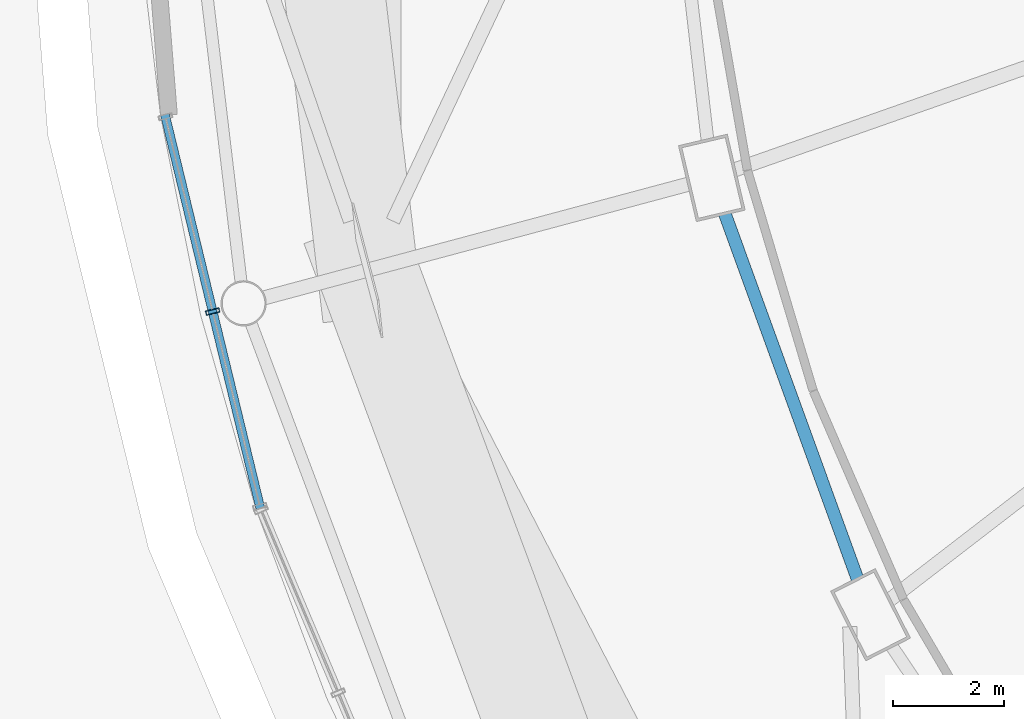
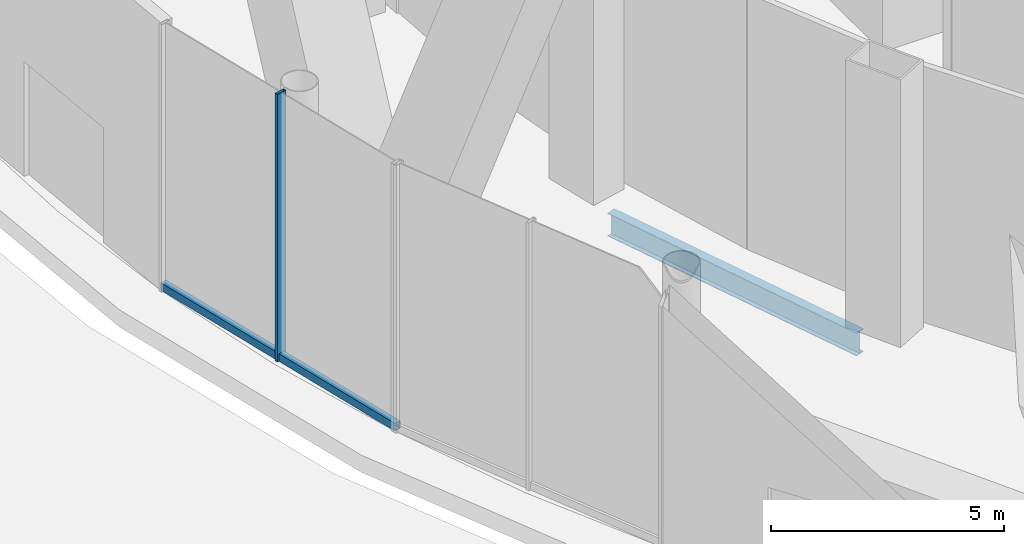
# One storey, part 10 of 67: 2 members, 1 beam, 1 element without a shape of its own.
"""IFC4 building model written with IfcOpenShell, lengths in metres."""

from ifc_helpers import new_model, si_unit, direction, frame, origin, origin_2d, place, context, subcontext, project, spatial, hollow_rectangle, i_section, extrude, material, layer, layer_set, material_profile, profile_set, type_object, element, aggregate, save


model = new_model("IFC4")

# Units and contexts
model_context = context("Model", 3, precision=1e-05, world=origin(), true_north=direction((0.0, 1.0)))
body_context = subcontext(model_context, "Body", "Model", "MODEL_VIEW")
ifc_project = project(units=[si_unit("LENGTHUNIT", "METRE"), si_unit("AREAUNIT", "SQUARE_METRE"), si_unit("VOLUMEUNIT", "CUBIC_METRE"), si_unit("PLANEANGLEUNIT", "RADIAN"), si_unit("MASSUNIT", "GRAM", prefix="KILO")], contexts=[model_context])

# Site, building, storey
site_placement = place(None, origin())
site = spatial("IfcSite", under=ifc_project, at=site_placement, CompositionType="ELEMENT")
building_placement = place(site_placement, origin())
building = spatial("IfcBuilding", under=site, at=building_placement, Name="Nagisa Residences", CompositionType="ELEMENT")
storey_placement = place(building_placement, origin())
storey = spatial("IfcBuildingStorey", under=building, at=storey_placement, Name="L00", CompositionType="ELEMENT", Elevation=0.0)

# Curtain wall, members
ifc_material_1 = material(Name="Stainless steel curtain wall system", Category="steel")
ifc_layer = layer(ifc_material_1, 0.159912109375)
ifc_layer_set = layer_set([ifc_layer], Name="CW3 CURTAIN WALL")
curtain_wall_type = type_object("IfcCurtainWallType", Name="CW3 CURTAIN WALL", PredefinedType="NOTDEFINED", material=ifc_layer_set)
curtain_wall_placement = place(storey_placement, origin())
curtain_wall = element("IfcCurtainWall", 1, at=curtain_wall_placement, inside=storey, type_object=curtain_wall_type, Name="cw:CW3:L00:19", PredefinedType="NOTDEFINED")
ifc_material_2 = material(Name="Stainless steel", Category="steel")
ifc_material_profile_1 = material_profile(ifc_material_2, hollow_rectangle(XDim=0.25, YDim=0.080078125, WallThickness=0.008056640625, at=origin_2d()), Name="CW3 MULLION 250x80")
ifc_profile_set_1 = profile_set([ifc_material_profile_1], Name="Stainless steel")
member_type_1 = type_object("IfcMemberType", Name="CW3 MULLION 250x80", PredefinedType="MULLION", material=ifc_profile_set_1)
member_1_placement = place(storey_placement, frame((-32.8876953125, -10.810302734375, 0.0), z_axis=(0.0, 0.0, 1.0), x_axis=(0.971848775146, 0.235605514043, 0.0)))
member_1 = element("IfcMember", 2, at=member_1_placement, type_object=member_type_1, Name="CW3 mullion", PredefinedType="MULLION", context=body_context, shape_type="SweptSolid", body=[
    extrude(hollow_rectangle(XDim=0.25, YDim=0.080078125, WallThickness=0.008056640625, at=origin_2d()), origin(), (0.0, 0.0, 1.0), 7.0),
])
ifc_material_3 = material(Name="Stainless steel", Category="steel")
ifc_material_profile_2 = material_profile(ifc_material_3, hollow_rectangle(XDim=0.159912109375, YDim=0.199951171875, WallThickness=0.008056640625, at=origin_2d()), Name="CW3 TRANSOM 160x200")
ifc_profile_set_2 = profile_set([ifc_material_profile_2], Name="Stainless steel")
member_type_2 = type_object("IfcMemberType", Name="CW3 TRANSOM 160x200", PredefinedType="USERDEFINED", material=ifc_profile_set_2)
member_2_placement = place(storey_placement, frame((-33.744873046875, -7.2744140625, 0.10009765625), z_axis=(0.235605787455, -0.971848708863, 0.0), x_axis=(0.971848708863, 0.235605787455, 0.0)))
member_2 = element("IfcMember", 3, at=member_2_placement, type_object=member_type_2, Name="CW3 transom", ObjectType="TRANSOM", PredefinedType="USERDEFINED", context=body_context, shape_type="SweptSolid", body=[
    extrude(hollow_rectangle(XDim=0.159912109375, YDim=0.199951171875, WallThickness=0.008056640625, at=origin_2d()), origin(), (0.0, 0.0, 1.0), 7.2763671875),
])
aggregate(curtain_wall, [member_1, member_2])

# Beam
ifc_material_4 = material(Name="Steel ASTM A572 Gr 50", Category="steel")
ifc_material_profile_3 = material_profile(ifc_material_4, i_section(OverallWidth=0.22802734375, OverallDepth=0.60302734375, WebThickness=0.010498046875, FlangeThickness=0.014892578125, at=origin_2d()), Name="W610x101")
ifc_profile_set_3 = profile_set([ifc_material_profile_3], Name="Steel ASTM A572 Gr 50")
beam_type = type_object("IfcBeamType", Name="Perimeter ring beam W610x101", PredefinedType="BEAM", material=ifc_profile_set_3)
beam_placement = place(storey_placement, frame((-23.695068359375, -9.055419921875, -0.701416015625), z_axis=(0.341411143183, -0.939914055279, 0.0), x_axis=(0.939914055279, 0.341411143183, 0.0)))
element("IfcBeam", 4, at=beam_placement, inside=storey, type_object=beam_type, Name="beam:L00:pb14", PredefinedType="BEAM", context=body_context, shape_type="SweptSolid", body=[
    extrude(i_section(OverallWidth=0.22802734375, OverallDepth=0.60302734375, WebThickness=0.010498046875, FlangeThickness=0.014892578125, at=origin_2d()), origin(), (0.0, 0.0, 1.0), 6.96923828125),
])

save(model, "model.ifc")
